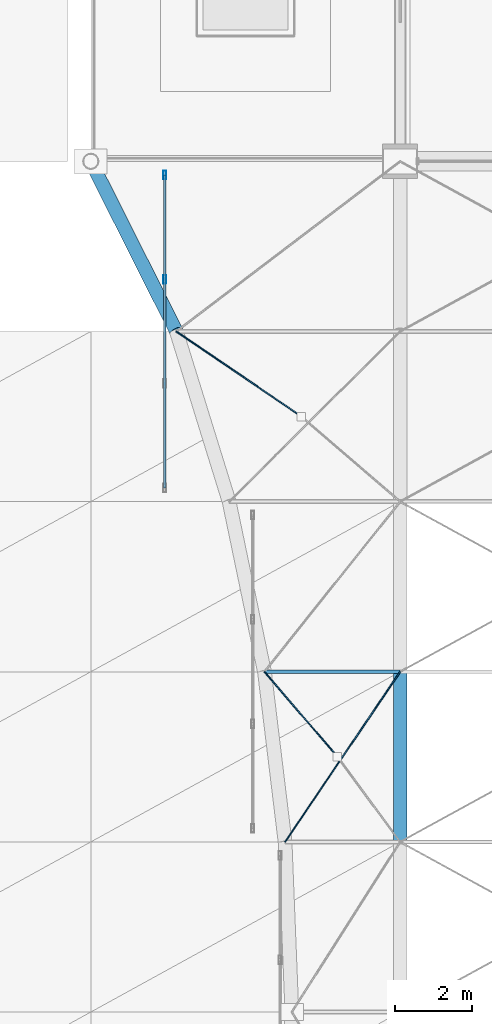
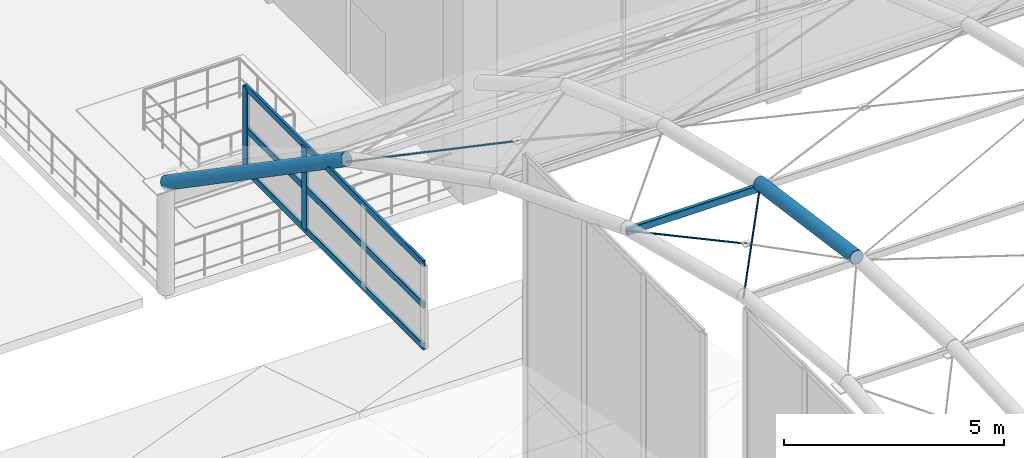
# One storey, part 52 of 163: 8 members, 3 beams, 1 element without a shape of its own.
"""IFC4 building model written with IfcOpenShell, lengths in metres."""

from ifc_helpers import new_model, si_unit, direction, frame, origin, origin_2d, place, context, subcontext, project, spatial, hollow_rectangle, circle, hollow_circle, extrude, material, material_profile, profile_set, type_object, element, aggregate, save


model = new_model("IFC4")

# Units and contexts
model_context = context("Model", 3, precision=1e-05, world=origin(), true_north=direction((0.0, 1.0)))
body_context = subcontext(model_context, "Body", "Model", "MODEL_VIEW")
ifc_project = project(units=[si_unit("LENGTHUNIT", "METRE"), si_unit("AREAUNIT", "SQUARE_METRE"), si_unit("VOLUMEUNIT", "CUBIC_METRE"), si_unit("PLANEANGLEUNIT", "RADIAN"), si_unit("MASSUNIT", "GRAM", prefix="KILO")], contexts=[model_context])

# Site, building, storey
site_placement = place(None, origin())
site = spatial("IfcSite", under=ifc_project, at=site_placement, CompositionType="ELEMENT")
building_placement = place(site_placement, origin())
building = spatial("IfcBuilding", under=site, at=building_placement, Name="Varnabhumi Central Station", CompositionType="ELEMENT")
storey_placement = place(building_placement, frame((0.0, 0.0, 9.60009765625)))
storey = spatial("IfcBuildingStorey", under=building, at=storey_placement, Name="L02", CompositionType="ELEMENT", Elevation=9.60009765625)

# Beams
ifc_material_1 = material(Name="Structural steel E350", Category="steel")
ifc_material_profile_1 = material_profile(ifc_material_1, hollow_circle(Radius=0.177734375, WallThickness=0.012451171875, at=origin_2d()), Name="Structural steel E350", Category="steel")
ifc_profile_set_1 = profile_set([ifc_material_profile_1], Name="Structural steel E350")
beam_type_1 = type_object("IfcBeamType", Name="BM-ARCH-CHS355", PredefinedType="BEAM", material=ifc_profile_set_1)
beam_1_placement = place(storey_placement, frame((18.2138671875, 75.60009765625, 5.554443359375), z_axis=(-0.399004919296, 0.792993676174, -0.46038690677), x_axis=(-0.893294210393, -0.449472417037, 0.0)))
element("IfcBeam", 1, at=beam_1_placement, inside=storey, type_object=beam_type_1, Name="Entrance Portico Vault Arch Rib 1 Seg 10", PredefinedType="BEAM", context=body_context, shape_type="SweptSolid", body=[
    extrude(hollow_circle(Radius=0.177734375, WallThickness=0.012451171875, at=origin_2d()), origin(), (0.0, 0.0, 1.0), 5.548583984375),
])
beam_2_placement = place(storey_placement, frame((24.0, 62.39990234375, 8.79736328125), z_axis=(0.0, 0.99037356126, -0.138420407303), x_axis=(-1.0, 0.0, 0.0)))
element("IfcBeam", 2, at=beam_2_placement, inside=storey, type_object=beam_type_1, Name="Entrance Portico Vault Arch Rib 2 Seg 7", PredefinedType="BEAM", context=body_context, shape_type="SweptSolid", body=[
    extrude(hollow_circle(Radius=0.177734375, WallThickness=0.012451171875, at=origin_2d()), origin(), (0.0, 0.0, 1.0), 4.44287109375),
])
ifc_material_profile_2 = material_profile(ifc_material_1, hollow_rectangle(XDim=0.10009765625, YDim=0.199951171875, WallThickness=0.008056640625, InnerFilletRadius=0.008056640625, OuterFilletRadius=0.01611328125, at=origin_2d()), Name="Structural steel E350", Category="steel")
ifc_profile_set_2 = profile_set([ifc_material_profile_2], Name="Structural steel E350")
beam_type_2 = type_object("IfcBeamType", Name="BM-PUR-RHS200", PredefinedType="JOIST", material=ifc_profile_set_2)
beam_3_placement = place(storey_placement, frame((20.491455078125, 66.800048828125, 8.082275390625), z_axis=(1.0, 0.0, 0.0), x_axis=(0.0, 1.0, 0.0)))
element("IfcBeam", 3, at=beam_3_placement, inside=storey, type_object=beam_type_2, Name="Entrance Portico Vault Purlin B1-L7", PredefinedType="JOIST", context=body_context, shape_type="SweptSolid", body=[
    extrude(hollow_rectangle(XDim=0.10009765625, YDim=0.199951171875, WallThickness=0.008056640625, InnerFilletRadius=0.008056640625, OuterFilletRadius=0.01611328125, at=origin_2d()), origin(), (0.0, 0.0, 1.0), 3.508544921875),
])

# Curtain wall, members
ifc_material_2 = material(Name="Anodised aluminium 6063-T6", Category="aluminium")
curtain_wall_type = type_object("IfcCurtainWallType", Name="CW-VAULT-ARCH-V2", PredefinedType="NOTDEFINED", material=ifc_material_2)
curtain_wall_placement = place(storey_placement, origin())
curtain_wall = element("IfcCurtainWall", 4, at=curtain_wall_placement, inside=storey, type_object=curtain_wall_type, Name="Curtain Wall CW-V25", PredefinedType="NOTDEFINED")
ifc_material_profile_3 = material_profile(ifc_material_2, hollow_rectangle(XDim=0.074951171875, YDim=0.219970703125, WallThickness=0.0048828125, InnerFilletRadius=0.0009765625, OuterFilletRadius=0.006103515625, at=origin_2d()), Name="Anodised aluminium 6063-T6", Category="aluminium")
ifc_profile_set_3 = profile_set([ifc_material_profile_3], Name="Anodised aluminium 6063-T6")
member_type_1 = type_object("IfcMemberType", Name="CW-MUL-220", PredefinedType="MULLION", material=ifc_profile_set_3)
member_1_placement = place(storey_placement, frame((17.910888671875, 76.949951171875, 2.89990234375), z_axis=(0.0, 0.0, 1.0), x_axis=(1.0, 0.0, 0.0)))
member_1 = element("IfcMember", 5, at=member_1_placement, type_object=member_type_1, Name="Curtain Wall Mullion CW-V25-M3", PredefinedType="MULLION", context=body_context, shape_type="SweptSolid", body=[
    extrude(hollow_rectangle(XDim=0.074951171875, YDim=0.219970703125, WallThickness=0.0048828125, InnerFilletRadius=0.0009765625, OuterFilletRadius=0.006103515625, at=origin_2d()), origin(), (0.0, 0.0, 1.0), 2.304443359375),
])
member_2_placement = place(storey_placement, frame((17.910888671875, 79.64990234375, 2.89990234375), z_axis=(0.0, 0.0, 1.0), x_axis=(1.0, 0.0, 0.0)))
member_2 = element("IfcMember", 6, at=member_2_placement, type_object=member_type_1, Name="Curtain Wall Mullion CW-V25-M4", PredefinedType="MULLION", context=body_context, shape_type="SweptSolid", body=[
    extrude(hollow_rectangle(XDim=0.074951171875, YDim=0.219970703125, WallThickness=0.0048828125, InnerFilletRadius=0.0009765625, OuterFilletRadius=0.006103515625, at=origin_2d()), origin(), (0.0, 0.0, 1.0), 2.304443359375),
])
ifc_material_profile_4 = material_profile(ifc_material_2, hollow_rectangle(XDim=0.06494140625, YDim=0.179931640625, WallThickness=0.00390625, InnerFilletRadius=0.001953125, OuterFilletRadius=0.006103515625, at=origin_2d()), Name="Anodised aluminium 6063-T6", Category="aluminium")
ifc_profile_set_4 = profile_set([ifc_material_profile_4], Name="Anodised aluminium 6063-T6")
member_type_2 = type_object("IfcMemberType", Name="CW-TR-180", PredefinedType="USERDEFINED", material=ifc_profile_set_4)
member_3_placement = place(storey_placement, frame((17.910888671875, 71.550048828125, 2.89990234375), z_axis=(0.0, 1.0, 0.0), x_axis=(-1.0, 0.0, 0.0)))
member_3 = element("IfcMember", 7, at=member_3_placement, type_object=member_type_2, Name="Curtain Wall Transom CW-V25-T1", ObjectType="TRANSOM", PredefinedType="USERDEFINED", context=body_context, shape_type="SweptSolid", body=[
    extrude(hollow_rectangle(XDim=0.06494140625, YDim=0.179931640625, WallThickness=0.00390625, InnerFilletRadius=0.001953125, OuterFilletRadius=0.006103515625, at=origin_2d()), origin(), (0.0, 0.0, 1.0), 8.099853515625),
])
member_4_placement = place(storey_placement, frame((17.910888671875, 71.550048828125, 4.05224609375), z_axis=(0.0, 1.0, 0.0), x_axis=(-1.0, 0.0, 0.0)))
member_4 = element("IfcMember", 8, at=member_4_placement, type_object=member_type_2, Name="Curtain Wall Transom CW-V25-T2", ObjectType="TRANSOM", PredefinedType="USERDEFINED", context=body_context, shape_type="SweptSolid", body=[
    extrude(hollow_rectangle(XDim=0.06494140625, YDim=0.179931640625, WallThickness=0.00390625, InnerFilletRadius=0.001953125, OuterFilletRadius=0.006103515625, at=origin_2d()), origin(), (0.0, 0.0, 1.0), 8.099853515625),
])
member_5_placement = place(storey_placement, frame((17.910888671875, 71.550048828125, 5.204345703125), z_axis=(0.0, 1.0, 0.0), x_axis=(-1.0, 0.0, 0.0)))
member_5 = element("IfcMember", 9, at=member_5_placement, type_object=member_type_2, Name="Curtain Wall Transom CW-V25-T3", ObjectType="TRANSOM", PredefinedType="USERDEFINED", context=body_context, shape_type="SweptSolid", body=[
    extrude(hollow_rectangle(XDim=0.06494140625, YDim=0.179931640625, WallThickness=0.00390625, InnerFilletRadius=0.001953125, OuterFilletRadius=0.006103515625, at=origin_2d()), origin(), (0.0, 0.0, 1.0), 8.099853515625),
])
aggregate(curtain_wall, [member_1, member_2, member_3, member_4, member_5])

# Members
ifc_material_3 = material(Name="Spiral-strand steel S1570", Category="steel")
ifc_material_profile_5 = material_profile(ifc_material_3, circle(Radius=0.01806640625, at=origin_2d()), Name="Spiral-strand steel S1570", Category="steel")
ifc_profile_set_5 = profile_set([ifc_material_profile_5], Name="Spiral-strand steel S1570")
member_type_3 = type_object("IfcMemberType", Name="MBR-CABLE-D36", PredefinedType="USERDEFINED", material=ifc_profile_set_5)
member_6_placement = place(storey_placement, frame((21.0244140625, 62.39990234375, 8.71728515625), z_axis=(0.556465154754, 0.822872619309, -0.115009494981), x_axis=(-0.828369353295, 0.56018230472, 0.0)))
element("IfcMember", 10, at=member_6_placement, inside=storey, type_object=member_type_3, Name="Entrance Portico Vault Cable-Net Tie B1-P7A", ObjectType="TENSION CABLE", PredefinedType="USERDEFINED", context=body_context, shape_type="SweptSolid", body=[
    extrude(circle(Radius=0.01806640625, at=origin_2d()), origin(), (0.0, 0.0, 1.0), 5.347412109375),
])
member_7_placement = place(storey_placement, frame((20.491455078125, 66.800048828125, 8.102294921875), z_axis=(0.64750905243, -0.754715311272, 0.105531161048), x_axis=(0.758953309225, 0.651145048676, 0.0)))
element("IfcMember", 11, at=member_7_placement, inside=storey, type_object=member_type_3, Name="Entrance Portico Vault Cable-Net Split Tie B1-P7B1", ObjectType="TENSION CABLE", PredefinedType="USERDEFINED", context=body_context, shape_type="SweptSolid", body=[
    extrude(circle(Radius=0.01806640625, at=origin_2d()), origin(), (0.0, 0.0, 1.0), 2.9150390625),
])
member_8_placement = place(storey_placement, frame((18.2138671875, 75.60009765625, 5.474365234375), z_axis=(0.810560157661, -0.551469737342, 0.197163281593), x_axis=(0.562511463414, 0.826789485617, 0.0)))
element("IfcMember", 12, at=member_8_placement, inside=storey, type_object=member_type_3, Name="Entrance Portico Vault Cable-Net Split Tie B1-P9B1", ObjectType="TENSION CABLE", PredefinedType="USERDEFINED", context=body_context, shape_type="SweptSolid", body=[
    extrude(circle(Radius=0.01806640625, at=origin_2d()), origin(), (0.0, 0.0, 1.0), 3.98974609375),
])

save(model, "model.ifc")
